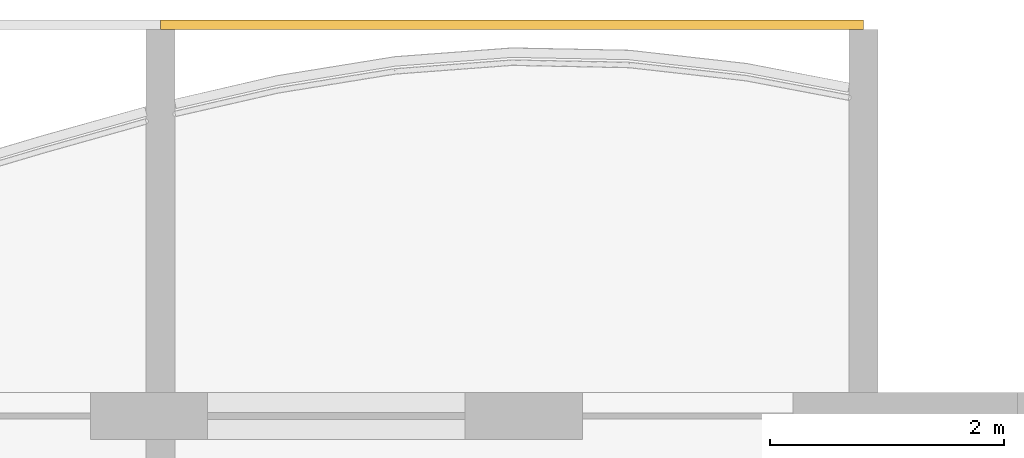
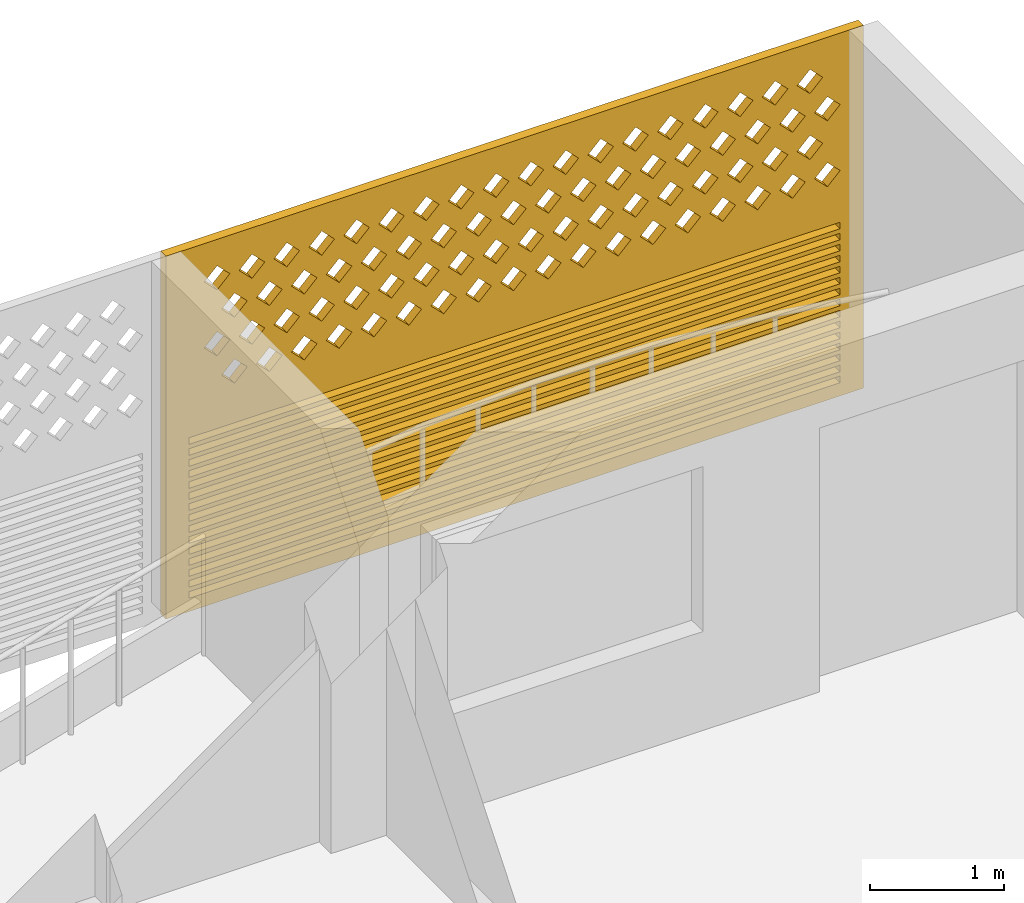
# One storey, part 26 of 26: 1 covering.
"""IFC4 building model written with IfcOpenShell, lengths in metres."""

from ifc_helpers import new_model, si_unit, direction, frame, origin, place, context, subcontext, project, spatial, polyline, outline, extrude, source, transform, mapped, material, material_profile, profile_set, type_object, element, save


model = new_model("IFC4")

# Units and contexts
model_context = context("Model", 3, precision=1e-05, world=origin(), true_north=direction((0.0, 1.0)))
body_context = subcontext(model_context, "Body", "Model", "MODEL_VIEW")
ifc_project = project(units=[si_unit("LENGTHUNIT", "METRE"), si_unit("AREAUNIT", "SQUARE_METRE"), si_unit("VOLUMEUNIT", "CUBIC_METRE"), si_unit("PLANEANGLEUNIT", "RADIAN"), si_unit("MASSUNIT", "GRAM", prefix="KILO")], contexts=[model_context])

# Site, building, storey
site_placement = place(None, origin())
site = spatial("IfcSite", under=ifc_project, at=site_placement, CompositionType="ELEMENT")
building_placement = place(site_placement, origin())
building = spatial("IfcBuilding", under=site, at=building_placement, Name="Poui Terraces", CompositionType="ELEMENT")
storey_placement = place(building_placement, frame((0.0, 0.0, 228.0)))
storey = spatial("IfcBuildingStorey", under=building, at=storey_placement, Name="L63", CompositionType="ELEMENT", Elevation=228.0)

# Covering
ifc_material = material(Name="Terracotta screen", Category="masonry")
ifc_material_profile = material_profile(ifc_material, outline(polyline([(-3.0, -1.64990234375), (3.0, -1.64990234375), (3.0, 1.64990234375), (-3.0, 1.64990234375), (-3.0, -1.64990234375)]), holes=[polyline([(-2.800048828125, 0.39990234375), (-2.68994140625, 0.2900390625), (-2.580078125, 0.39990234375), (-2.68994140625, 0.510009765625), (-2.800048828125, 0.39990234375)]), polyline([(-2.5, 0.39990234375), (-2.389892578125, 0.2900390625), (-2.280029296875, 0.39990234375), (-2.389892578125, 0.510009765625), (-2.5, 0.39990234375)]), polyline([(-2.199951171875, 0.39990234375), (-2.090087890625, 0.2900390625), (-1.97998046875, 0.39990234375), (-2.090087890625, 0.510009765625), (-2.199951171875, 0.39990234375)]), polyline([(-1.89990234375, 0.39990234375), (-1.7900390625, 0.2900390625), (-1.679931640625, 0.39990234375), (-1.7900390625, 0.510009765625), (-1.89990234375, 0.39990234375)]), polyline([(-1.60009765625, 0.39990234375), (-1.489990234375, 0.2900390625), (-1.3798828125, 0.39990234375), (-1.489990234375, 0.510009765625), (-1.60009765625, 0.39990234375)]), polyline([(-1.300048828125, 0.39990234375), (-1.18994140625, 0.2900390625), (-1.080078125, 0.39990234375), (-1.18994140625, 0.510009765625), (-1.300048828125, 0.39990234375)]), polyline([(-1.0, 0.39990234375), (-0.889892578125, 0.2900390625), (-0.780029296875, 0.39990234375), (-0.889892578125, 0.510009765625), (-1.0, 0.39990234375)]), polyline([(-0.699951171875, 0.39990234375), (-0.590087890625, 0.2900390625), (-0.47998046875, 0.39990234375), (-0.590087890625, 0.510009765625), (-0.699951171875, 0.39990234375)]), polyline([(-0.39990234375, 0.39990234375), (-0.2900390625, 0.2900390625), (-0.179931640625, 0.39990234375), (-0.2900390625, 0.510009765625), (-0.39990234375, 0.39990234375)]), polyline([(-0.10009765625, 0.39990234375), (0.010009765625, 0.2900390625), (0.1201171875, 0.39990234375), (0.010009765625, 0.510009765625), (-0.10009765625, 0.39990234375)]), polyline([(0.199951171875, 0.39990234375), (0.31005859375, 0.2900390625), (0.419921875, 0.39990234375), (0.31005859375, 0.510009765625), (0.199951171875, 0.39990234375)]), polyline([(0.5, 0.39990234375), (0.610107421875, 0.2900390625), (0.719970703125, 0.39990234375), (0.610107421875, 0.510009765625), (0.5, 0.39990234375)]), polyline([(0.800048828125, 0.39990234375), (0.909912109375, 0.2900390625), (1.02001953125, 0.39990234375), (0.909912109375, 0.510009765625), (0.800048828125, 0.39990234375)]), polyline([(1.10009765625, 0.39990234375), (1.2099609375, 0.2900390625), (1.320068359375, 0.39990234375), (1.2099609375, 0.510009765625), (1.10009765625, 0.39990234375)]), polyline([(1.39990234375, 0.39990234375), (1.510009765625, 0.2900390625), (1.6201171875, 0.39990234375), (1.510009765625, 0.510009765625), (1.39990234375, 0.39990234375)]), polyline([(1.699951171875, 0.39990234375), (1.81005859375, 0.2900390625), (1.919921875, 0.39990234375), (1.81005859375, 0.510009765625), (1.699951171875, 0.39990234375)]), polyline([(2.0, 0.39990234375), (2.110107421875, 0.2900390625), (2.219970703125, 0.39990234375), (2.110107421875, 0.510009765625), (2.0, 0.39990234375)]), polyline([(2.300048828125, 0.39990234375), (2.409912109375, 0.2900390625), (2.52001953125, 0.39990234375), (2.409912109375, 0.510009765625), (2.300048828125, 0.39990234375)]), polyline([(-2.64990234375, 0.699951171875), (-2.5400390625, 0.590087890625), (-2.429931640625, 0.699951171875), (-2.5400390625, 0.81005859375), (-2.64990234375, 0.699951171875)]), polyline([(-2.35009765625, 0.699951171875), (-2.239990234375, 0.590087890625), (-2.1298828125, 0.699951171875), (-2.239990234375, 0.81005859375), (-2.35009765625, 0.699951171875)]), polyline([(-2.050048828125, 0.699951171875), (-1.93994140625, 0.590087890625), (-1.830078125, 0.699951171875), (-1.93994140625, 0.81005859375), (-2.050048828125, 0.699951171875)]), polyline([(-1.75, 0.699951171875), (-1.639892578125, 0.590087890625), (-1.530029296875, 0.699951171875), (-1.639892578125, 0.81005859375), (-1.75, 0.699951171875)]), polyline([(-1.449951171875, 0.699951171875), (-1.340087890625, 0.590087890625), (-1.22998046875, 0.699951171875), (-1.340087890625, 0.81005859375), (-1.449951171875, 0.699951171875)]), polyline([(-1.14990234375, 0.699951171875), (-1.0400390625, 0.590087890625), (-0.929931640625, 0.699951171875), (-1.0400390625, 0.81005859375), (-1.14990234375, 0.699951171875)]), polyline([(-0.85009765625, 0.699951171875), (-0.739990234375, 0.590087890625), (-0.6298828125, 0.699951171875), (-0.739990234375, 0.81005859375), (-0.85009765625, 0.699951171875)]), polyline([(-0.550048828125, 0.699951171875), (-0.43994140625, 0.590087890625), (-0.330078125, 0.699951171875), (-0.43994140625, 0.81005859375), (-0.550048828125, 0.699951171875)]), polyline([(-0.25, 0.699951171875), (-0.139892578125, 0.590087890625), (-0.030029296875, 0.699951171875), (-0.139892578125, 0.81005859375), (-0.25, 0.699951171875)]), polyline([(0.050048828125, 0.699951171875), (0.159912109375, 0.590087890625), (0.27001953125, 0.699951171875), (0.159912109375, 0.81005859375), (0.050048828125, 0.699951171875)]), polyline([(0.35009765625, 0.699951171875), (0.4599609375, 0.590087890625), (0.570068359375, 0.699951171875), (0.4599609375, 0.81005859375), (0.35009765625, 0.699951171875)]), polyline([(0.64990234375, 0.699951171875), (0.760009765625, 0.590087890625), (0.8701171875, 0.699951171875), (0.760009765625, 0.81005859375), (0.64990234375, 0.699951171875)]), polyline([(0.949951171875, 0.699951171875), (1.06005859375, 0.590087890625), (1.169921875, 0.699951171875), (1.06005859375, 0.81005859375), (0.949951171875, 0.699951171875)]), polyline([(1.25, 0.699951171875), (1.360107421875, 0.590087890625), (1.469970703125, 0.699951171875), (1.360107421875, 0.81005859375), (1.25, 0.699951171875)]), polyline([(1.550048828125, 0.699951171875), (1.659912109375, 0.590087890625), (1.77001953125, 0.699951171875), (1.659912109375, 0.81005859375), (1.550048828125, 0.699951171875)]), polyline([(1.85009765625, 0.699951171875), (1.9599609375, 0.590087890625), (2.070068359375, 0.699951171875), (1.9599609375, 0.81005859375), (1.85009765625, 0.699951171875)]), polyline([(2.14990234375, 0.699951171875), (2.260009765625, 0.590087890625), (2.3701171875, 0.699951171875), (2.260009765625, 0.81005859375), (2.14990234375, 0.699951171875)]), polyline([(2.449951171875, 0.699951171875), (2.56005859375, 0.590087890625), (2.669921875, 0.699951171875), (2.56005859375, 0.81005859375), (2.449951171875, 0.699951171875)]), polyline([(-2.800048828125, 1.0), (-2.68994140625, 0.889892578125), (-2.580078125, 1.0), (-2.68994140625, 1.110107421875), (-2.800048828125, 1.0)]), polyline([(-2.5, 1.0), (-2.389892578125, 0.889892578125), (-2.280029296875, 1.0), (-2.389892578125, 1.110107421875), (-2.5, 1.0)]), polyline([(-2.199951171875, 1.0), (-2.090087890625, 0.889892578125), (-1.97998046875, 1.0), (-2.090087890625, 1.110107421875), (-2.199951171875, 1.0)]), polyline([(-1.89990234375, 1.0), (-1.7900390625, 0.889892578125), (-1.679931640625, 1.0), (-1.7900390625, 1.110107421875), (-1.89990234375, 1.0)]), polyline([(-1.60009765625, 1.0), (-1.489990234375, 0.889892578125), (-1.3798828125, 1.0), (-1.489990234375, 1.110107421875), (-1.60009765625, 1.0)]), polyline([(-1.300048828125, 1.0), (-1.18994140625, 0.889892578125), (-1.080078125, 1.0), (-1.18994140625, 1.110107421875), (-1.300048828125, 1.0)]), polyline([(-1.0, 1.0), (-0.889892578125, 0.889892578125), (-0.780029296875, 1.0), (-0.889892578125, 1.110107421875), (-1.0, 1.0)]), polyline([(-0.699951171875, 1.0), (-0.590087890625, 0.889892578125), (-0.47998046875, 1.0), (-0.590087890625, 1.110107421875), (-0.699951171875, 1.0)]), polyline([(-0.39990234375, 1.0), (-0.2900390625, 0.889892578125), (-0.179931640625, 1.0), (-0.2900390625, 1.110107421875), (-0.39990234375, 1.0)]), polyline([(-0.10009765625, 1.0), (0.010009765625, 0.889892578125), (0.1201171875, 1.0), (0.010009765625, 1.110107421875), (-0.10009765625, 1.0)]), polyline([(0.199951171875, 1.0), (0.31005859375, 0.889892578125), (0.419921875, 1.0), (0.31005859375, 1.110107421875), (0.199951171875, 1.0)]), polyline([(0.5, 1.0), (0.610107421875, 0.889892578125), (0.719970703125, 1.0), (0.610107421875, 1.110107421875), (0.5, 1.0)]), polyline([(0.800048828125, 1.0), (0.909912109375, 0.889892578125), (1.02001953125, 1.0), (0.909912109375, 1.110107421875), (0.800048828125, 1.0)]), polyline([(1.10009765625, 1.0), (1.2099609375, 0.889892578125), (1.320068359375, 1.0), (1.2099609375, 1.110107421875), (1.10009765625, 1.0)]), polyline([(1.39990234375, 1.0), (1.510009765625, 0.889892578125), (1.6201171875, 1.0), (1.510009765625, 1.110107421875), (1.39990234375, 1.0)]), polyline([(1.699951171875, 1.0), (1.81005859375, 0.889892578125), (1.919921875, 1.0), (1.81005859375, 1.110107421875), (1.699951171875, 1.0)]), polyline([(2.0, 1.0), (2.110107421875, 0.889892578125), (2.219970703125, 1.0), (2.110107421875, 1.110107421875), (2.0, 1.0)]), polyline([(2.300048828125, 1.0), (2.409912109375, 0.889892578125), (2.52001953125, 1.0), (2.409912109375, 1.110107421875), (2.300048828125, 1.0)]), polyline([(-2.64990234375, 1.300048828125), (-2.5400390625, 1.18994140625), (-2.429931640625, 1.300048828125), (-2.5400390625, 1.409912109375), (-2.64990234375, 1.300048828125)]), polyline([(-2.35009765625, 1.300048828125), (-2.239990234375, 1.18994140625), (-2.1298828125, 1.300048828125), (-2.239990234375, 1.409912109375), (-2.35009765625, 1.300048828125)]), polyline([(-2.050048828125, 1.300048828125), (-1.93994140625, 1.18994140625), (-1.830078125, 1.300048828125), (-1.93994140625, 1.409912109375), (-2.050048828125, 1.300048828125)]), polyline([(-1.75, 1.300048828125), (-1.639892578125, 1.18994140625), (-1.530029296875, 1.300048828125), (-1.639892578125, 1.409912109375), (-1.75, 1.300048828125)]), polyline([(-1.449951171875, 1.300048828125), (-1.340087890625, 1.18994140625), (-1.22998046875, 1.300048828125), (-1.340087890625, 1.409912109375), (-1.449951171875, 1.300048828125)]), polyline([(-1.14990234375, 1.300048828125), (-1.0400390625, 1.18994140625), (-0.929931640625, 1.300048828125), (-1.0400390625, 1.409912109375), (-1.14990234375, 1.300048828125)]), polyline([(-0.85009765625, 1.300048828125), (-0.739990234375, 1.18994140625), (-0.6298828125, 1.300048828125), (-0.739990234375, 1.409912109375), (-0.85009765625, 1.300048828125)]), polyline([(-0.550048828125, 1.300048828125), (-0.43994140625, 1.18994140625), (-0.330078125, 1.300048828125), (-0.43994140625, 1.409912109375), (-0.550048828125, 1.300048828125)]), polyline([(-0.25, 1.300048828125), (-0.139892578125, 1.18994140625), (-0.030029296875, 1.300048828125), (-0.139892578125, 1.409912109375), (-0.25, 1.300048828125)]), polyline([(0.050048828125, 1.300048828125), (0.159912109375, 1.18994140625), (0.27001953125, 1.300048828125), (0.159912109375, 1.409912109375), (0.050048828125, 1.300048828125)]), polyline([(0.35009765625, 1.300048828125), (0.4599609375, 1.18994140625), (0.570068359375, 1.300048828125), (0.4599609375, 1.409912109375), (0.35009765625, 1.300048828125)]), polyline([(0.64990234375, 1.300048828125), (0.760009765625, 1.18994140625), (0.8701171875, 1.300048828125), (0.760009765625, 1.409912109375), (0.64990234375, 1.300048828125)]), polyline([(0.949951171875, 1.300048828125), (1.06005859375, 1.18994140625), (1.169921875, 1.300048828125), (1.06005859375, 1.409912109375), (0.949951171875, 1.300048828125)]), polyline([(1.25, 1.300048828125), (1.360107421875, 1.18994140625), (1.469970703125, 1.300048828125), (1.360107421875, 1.409912109375), (1.25, 1.300048828125)]), polyline([(1.550048828125, 1.300048828125), (1.659912109375, 1.18994140625), (1.77001953125, 1.300048828125), (1.659912109375, 1.409912109375), (1.550048828125, 1.300048828125)]), polyline([(1.85009765625, 1.300048828125), (1.9599609375, 1.18994140625), (2.070068359375, 1.300048828125), (1.9599609375, 1.409912109375), (1.85009765625, 1.300048828125)]), polyline([(2.14990234375, 1.300048828125), (2.260009765625, 1.18994140625), (2.3701171875, 1.300048828125), (2.260009765625, 1.409912109375), (2.14990234375, 1.300048828125)]), polyline([(2.449951171875, 1.300048828125), (2.56005859375, 1.18994140625), (2.669921875, 1.300048828125), (2.56005859375, 1.409912109375), (2.449951171875, 1.300048828125)]), polyline([(-2.800048828125, -1.530029296875), (2.800048828125, -1.530029296875), (2.800048828125, -1.469970703125), (-2.800048828125, -1.469970703125), (-2.800048828125, -1.530029296875)]), polyline([(-2.800048828125, -1.429931640625), (2.800048828125, -1.429931640625), (2.800048828125, -1.3701171875), (-2.800048828125, -1.3701171875), (-2.800048828125, -1.429931640625)]), polyline([(-2.800048828125, -1.330078125), (2.800048828125, -1.330078125), (2.800048828125, -1.27001953125), (-2.800048828125, -1.27001953125), (-2.800048828125, -1.330078125)]), polyline([(-2.800048828125, -1.22998046875), (2.800048828125, -1.22998046875), (2.800048828125, -1.169921875), (-2.800048828125, -1.169921875), (-2.800048828125, -1.22998046875)]), polyline([(-2.800048828125, -1.1298828125), (2.800048828125, -1.1298828125), (2.800048828125, -1.070068359375), (-2.800048828125, -1.070068359375), (-2.800048828125, -1.1298828125)]), polyline([(-2.800048828125, -1.030029296875), (2.800048828125, -1.030029296875), (2.800048828125, -0.969970703125), (-2.800048828125, -0.969970703125), (-2.800048828125, -1.030029296875)]), polyline([(-2.800048828125, -0.929931640625), (2.800048828125, -0.929931640625), (2.800048828125, -0.8701171875), (-2.800048828125, -0.8701171875), (-2.800048828125, -0.929931640625)]), polyline([(-2.800048828125, -0.830078125), (2.800048828125, -0.830078125), (2.800048828125, -0.77001953125), (-2.800048828125, -0.77001953125), (-2.800048828125, -0.830078125)]), polyline([(-2.800048828125, -0.72998046875), (2.800048828125, -0.72998046875), (2.800048828125, -0.669921875), (-2.800048828125, -0.669921875), (-2.800048828125, -0.72998046875)]), polyline([(-2.800048828125, -0.6298828125), (2.800048828125, -0.6298828125), (2.800048828125, -0.570068359375), (-2.800048828125, -0.570068359375), (-2.800048828125, -0.6298828125)]), polyline([(-2.800048828125, -0.530029296875), (2.800048828125, -0.530029296875), (2.800048828125, -0.469970703125), (-2.800048828125, -0.469970703125), (-2.800048828125, -0.530029296875)]), polyline([(-2.800048828125, -0.429931640625), (2.800048828125, -0.429931640625), (2.800048828125, -0.3701171875), (-2.800048828125, -0.3701171875), (-2.800048828125, -0.429931640625)]), polyline([(-2.800048828125, -0.330078125), (2.800048828125, -0.330078125), (2.800048828125, -0.27001953125), (-2.800048828125, -0.27001953125), (-2.800048828125, -0.330078125)]), polyline([(-2.800048828125, -0.22998046875), (2.800048828125, -0.22998046875), (2.800048828125, -0.169921875), (-2.800048828125, -0.169921875), (-2.800048828125, -0.22998046875)]), polyline([(-2.800048828125, -0.1298828125), (2.800048828125, -0.1298828125), (2.800048828125, -0.070068359375), (-2.800048828125, -0.070068359375), (-2.800048828125, -0.1298828125)])]), Name="TERRACOTTA SCREEN AND JALOUSIE LOUVRE 6000X3300")
ifc_profile_set = profile_set([ifc_material_profile], Name="Terracotta screen")
covering_type = type_object("IfcCoveringType", Name="TERRACOTTA SCREEN AND JALOUSIE LOUVRE 6000X3300", PredefinedType="CLADDING", material=ifc_profile_set)
shared_shape = source(origin(), body_context, "Body", "SweptSolid", [
    extrude(outline(polyline([(-3.0, -1.64990234375), (3.0, -1.64990234375), (3.0, 1.64990234375), (-3.0, 1.64990234375), (-3.0, -1.64990234375)]), holes=[polyline([(-2.800048828125, 0.39990234375), (-2.68994140625, 0.2900390625), (-2.580078125, 0.39990234375), (-2.68994140625, 0.510009765625), (-2.800048828125, 0.39990234375)]), polyline([(-2.5, 0.39990234375), (-2.389892578125, 0.2900390625), (-2.280029296875, 0.39990234375), (-2.389892578125, 0.510009765625), (-2.5, 0.39990234375)]), polyline([(-2.199951171875, 0.39990234375), (-2.090087890625, 0.2900390625), (-1.97998046875, 0.39990234375), (-2.090087890625, 0.510009765625), (-2.199951171875, 0.39990234375)]), polyline([(-1.89990234375, 0.39990234375), (-1.7900390625, 0.2900390625), (-1.679931640625, 0.39990234375), (-1.7900390625, 0.510009765625), (-1.89990234375, 0.39990234375)]), polyline([(-1.60009765625, 0.39990234375), (-1.489990234375, 0.2900390625), (-1.3798828125, 0.39990234375), (-1.489990234375, 0.510009765625), (-1.60009765625, 0.39990234375)]), polyline([(-1.300048828125, 0.39990234375), (-1.18994140625, 0.2900390625), (-1.080078125, 0.39990234375), (-1.18994140625, 0.510009765625), (-1.300048828125, 0.39990234375)]), polyline([(-1.0, 0.39990234375), (-0.889892578125, 0.2900390625), (-0.780029296875, 0.39990234375), (-0.889892578125, 0.510009765625), (-1.0, 0.39990234375)]), polyline([(-0.699951171875, 0.39990234375), (-0.590087890625, 0.2900390625), (-0.47998046875, 0.39990234375), (-0.590087890625, 0.510009765625), (-0.699951171875, 0.39990234375)]), polyline([(-0.39990234375, 0.39990234375), (-0.2900390625, 0.2900390625), (-0.179931640625, 0.39990234375), (-0.2900390625, 0.510009765625), (-0.39990234375, 0.39990234375)]), polyline([(-0.10009765625, 0.39990234375), (0.010009765625, 0.2900390625), (0.1201171875, 0.39990234375), (0.010009765625, 0.510009765625), (-0.10009765625, 0.39990234375)]), polyline([(0.199951171875, 0.39990234375), (0.31005859375, 0.2900390625), (0.419921875, 0.39990234375), (0.31005859375, 0.510009765625), (0.199951171875, 0.39990234375)]), polyline([(0.5, 0.39990234375), (0.610107421875, 0.2900390625), (0.719970703125, 0.39990234375), (0.610107421875, 0.510009765625), (0.5, 0.39990234375)]), polyline([(0.800048828125, 0.39990234375), (0.909912109375, 0.2900390625), (1.02001953125, 0.39990234375), (0.909912109375, 0.510009765625), (0.800048828125, 0.39990234375)]), polyline([(1.10009765625, 0.39990234375), (1.2099609375, 0.2900390625), (1.320068359375, 0.39990234375), (1.2099609375, 0.510009765625), (1.10009765625, 0.39990234375)]), polyline([(1.39990234375, 0.39990234375), (1.510009765625, 0.2900390625), (1.6201171875, 0.39990234375), (1.510009765625, 0.510009765625), (1.39990234375, 0.39990234375)]), polyline([(1.699951171875, 0.39990234375), (1.81005859375, 0.2900390625), (1.919921875, 0.39990234375), (1.81005859375, 0.510009765625), (1.699951171875, 0.39990234375)]), polyline([(2.0, 0.39990234375), (2.110107421875, 0.2900390625), (2.219970703125, 0.39990234375), (2.110107421875, 0.510009765625), (2.0, 0.39990234375)]), polyline([(2.300048828125, 0.39990234375), (2.409912109375, 0.2900390625), (2.52001953125, 0.39990234375), (2.409912109375, 0.510009765625), (2.300048828125, 0.39990234375)]), polyline([(-2.64990234375, 0.699951171875), (-2.5400390625, 0.590087890625), (-2.429931640625, 0.699951171875), (-2.5400390625, 0.81005859375), (-2.64990234375, 0.699951171875)]), polyline([(-2.35009765625, 0.699951171875), (-2.239990234375, 0.590087890625), (-2.1298828125, 0.699951171875), (-2.239990234375, 0.81005859375), (-2.35009765625, 0.699951171875)]), polyline([(-2.050048828125, 0.699951171875), (-1.93994140625, 0.590087890625), (-1.830078125, 0.699951171875), (-1.93994140625, 0.81005859375), (-2.050048828125, 0.699951171875)]), polyline([(-1.75, 0.699951171875), (-1.639892578125, 0.590087890625), (-1.530029296875, 0.699951171875), (-1.639892578125, 0.81005859375), (-1.75, 0.699951171875)]), polyline([(-1.449951171875, 0.699951171875), (-1.340087890625, 0.590087890625), (-1.22998046875, 0.699951171875), (-1.340087890625, 0.81005859375), (-1.449951171875, 0.699951171875)]), polyline([(-1.14990234375, 0.699951171875), (-1.0400390625, 0.590087890625), (-0.929931640625, 0.699951171875), (-1.0400390625, 0.81005859375), (-1.14990234375, 0.699951171875)]), polyline([(-0.85009765625, 0.699951171875), (-0.739990234375, 0.590087890625), (-0.6298828125, 0.699951171875), (-0.739990234375, 0.81005859375), (-0.85009765625, 0.699951171875)]), polyline([(-0.550048828125, 0.699951171875), (-0.43994140625, 0.590087890625), (-0.330078125, 0.699951171875), (-0.43994140625, 0.81005859375), (-0.550048828125, 0.699951171875)]), polyline([(-0.25, 0.699951171875), (-0.139892578125, 0.590087890625), (-0.030029296875, 0.699951171875), (-0.139892578125, 0.81005859375), (-0.25, 0.699951171875)]), polyline([(0.050048828125, 0.699951171875), (0.159912109375, 0.590087890625), (0.27001953125, 0.699951171875), (0.159912109375, 0.81005859375), (0.050048828125, 0.699951171875)]), polyline([(0.35009765625, 0.699951171875), (0.4599609375, 0.590087890625), (0.570068359375, 0.699951171875), (0.4599609375, 0.81005859375), (0.35009765625, 0.699951171875)]), polyline([(0.64990234375, 0.699951171875), (0.760009765625, 0.590087890625), (0.8701171875, 0.699951171875), (0.760009765625, 0.81005859375), (0.64990234375, 0.699951171875)]), polyline([(0.949951171875, 0.699951171875), (1.06005859375, 0.590087890625), (1.169921875, 0.699951171875), (1.06005859375, 0.81005859375), (0.949951171875, 0.699951171875)]), polyline([(1.25, 0.699951171875), (1.360107421875, 0.590087890625), (1.469970703125, 0.699951171875), (1.360107421875, 0.81005859375), (1.25, 0.699951171875)]), polyline([(1.550048828125, 0.699951171875), (1.659912109375, 0.590087890625), (1.77001953125, 0.699951171875), (1.659912109375, 0.81005859375), (1.550048828125, 0.699951171875)]), polyline([(1.85009765625, 0.699951171875), (1.9599609375, 0.590087890625), (2.070068359375, 0.699951171875), (1.9599609375, 0.81005859375), (1.85009765625, 0.699951171875)]), polyline([(2.14990234375, 0.699951171875), (2.260009765625, 0.590087890625), (2.3701171875, 0.699951171875), (2.260009765625, 0.81005859375), (2.14990234375, 0.699951171875)]), polyline([(2.449951171875, 0.699951171875), (2.56005859375, 0.590087890625), (2.669921875, 0.699951171875), (2.56005859375, 0.81005859375), (2.449951171875, 0.699951171875)]), polyline([(-2.800048828125, 1.0), (-2.68994140625, 0.889892578125), (-2.580078125, 1.0), (-2.68994140625, 1.110107421875), (-2.800048828125, 1.0)]), polyline([(-2.5, 1.0), (-2.389892578125, 0.889892578125), (-2.280029296875, 1.0), (-2.389892578125, 1.110107421875), (-2.5, 1.0)]), polyline([(-2.199951171875, 1.0), (-2.090087890625, 0.889892578125), (-1.97998046875, 1.0), (-2.090087890625, 1.110107421875), (-2.199951171875, 1.0)]), polyline([(-1.89990234375, 1.0), (-1.7900390625, 0.889892578125), (-1.679931640625, 1.0), (-1.7900390625, 1.110107421875), (-1.89990234375, 1.0)]), polyline([(-1.60009765625, 1.0), (-1.489990234375, 0.889892578125), (-1.3798828125, 1.0), (-1.489990234375, 1.110107421875), (-1.60009765625, 1.0)]), polyline([(-1.300048828125, 1.0), (-1.18994140625, 0.889892578125), (-1.080078125, 1.0), (-1.18994140625, 1.110107421875), (-1.300048828125, 1.0)]), polyline([(-1.0, 1.0), (-0.889892578125, 0.889892578125), (-0.780029296875, 1.0), (-0.889892578125, 1.110107421875), (-1.0, 1.0)]), polyline([(-0.699951171875, 1.0), (-0.590087890625, 0.889892578125), (-0.47998046875, 1.0), (-0.590087890625, 1.110107421875), (-0.699951171875, 1.0)]), polyline([(-0.39990234375, 1.0), (-0.2900390625, 0.889892578125), (-0.179931640625, 1.0), (-0.2900390625, 1.110107421875), (-0.39990234375, 1.0)]), polyline([(-0.10009765625, 1.0), (0.010009765625, 0.889892578125), (0.1201171875, 1.0), (0.010009765625, 1.110107421875), (-0.10009765625, 1.0)]), polyline([(0.199951171875, 1.0), (0.31005859375, 0.889892578125), (0.419921875, 1.0), (0.31005859375, 1.110107421875), (0.199951171875, 1.0)]), polyline([(0.5, 1.0), (0.610107421875, 0.889892578125), (0.719970703125, 1.0), (0.610107421875, 1.110107421875), (0.5, 1.0)]), polyline([(0.800048828125, 1.0), (0.909912109375, 0.889892578125), (1.02001953125, 1.0), (0.909912109375, 1.110107421875), (0.800048828125, 1.0)]), polyline([(1.10009765625, 1.0), (1.2099609375, 0.889892578125), (1.320068359375, 1.0), (1.2099609375, 1.110107421875), (1.10009765625, 1.0)]), polyline([(1.39990234375, 1.0), (1.510009765625, 0.889892578125), (1.6201171875, 1.0), (1.510009765625, 1.110107421875), (1.39990234375, 1.0)]), polyline([(1.699951171875, 1.0), (1.81005859375, 0.889892578125), (1.919921875, 1.0), (1.81005859375, 1.110107421875), (1.699951171875, 1.0)]), polyline([(2.0, 1.0), (2.110107421875, 0.889892578125), (2.219970703125, 1.0), (2.110107421875, 1.110107421875), (2.0, 1.0)]), polyline([(2.300048828125, 1.0), (2.409912109375, 0.889892578125), (2.52001953125, 1.0), (2.409912109375, 1.110107421875), (2.300048828125, 1.0)]), polyline([(-2.64990234375, 1.300048828125), (-2.5400390625, 1.18994140625), (-2.429931640625, 1.300048828125), (-2.5400390625, 1.409912109375), (-2.64990234375, 1.300048828125)]), polyline([(-2.35009765625, 1.300048828125), (-2.239990234375, 1.18994140625), (-2.1298828125, 1.300048828125), (-2.239990234375, 1.409912109375), (-2.35009765625, 1.300048828125)]), polyline([(-2.050048828125, 1.300048828125), (-1.93994140625, 1.18994140625), (-1.830078125, 1.300048828125), (-1.93994140625, 1.409912109375), (-2.050048828125, 1.300048828125)]), polyline([(-1.75, 1.300048828125), (-1.639892578125, 1.18994140625), (-1.530029296875, 1.300048828125), (-1.639892578125, 1.409912109375), (-1.75, 1.300048828125)]), polyline([(-1.449951171875, 1.300048828125), (-1.340087890625, 1.18994140625), (-1.22998046875, 1.300048828125), (-1.340087890625, 1.409912109375), (-1.449951171875, 1.300048828125)]), polyline([(-1.14990234375, 1.300048828125), (-1.0400390625, 1.18994140625), (-0.929931640625, 1.300048828125), (-1.0400390625, 1.409912109375), (-1.14990234375, 1.300048828125)]), polyline([(-0.85009765625, 1.300048828125), (-0.739990234375, 1.18994140625), (-0.6298828125, 1.300048828125), (-0.739990234375, 1.409912109375), (-0.85009765625, 1.300048828125)]), polyline([(-0.550048828125, 1.300048828125), (-0.43994140625, 1.18994140625), (-0.330078125, 1.300048828125), (-0.43994140625, 1.409912109375), (-0.550048828125, 1.300048828125)]), polyline([(-0.25, 1.300048828125), (-0.139892578125, 1.18994140625), (-0.030029296875, 1.300048828125), (-0.139892578125, 1.409912109375), (-0.25, 1.300048828125)]), polyline([(0.050048828125, 1.300048828125), (0.159912109375, 1.18994140625), (0.27001953125, 1.300048828125), (0.159912109375, 1.409912109375), (0.050048828125, 1.300048828125)]), polyline([(0.35009765625, 1.300048828125), (0.4599609375, 1.18994140625), (0.570068359375, 1.300048828125), (0.4599609375, 1.409912109375), (0.35009765625, 1.300048828125)]), polyline([(0.64990234375, 1.300048828125), (0.760009765625, 1.18994140625), (0.8701171875, 1.300048828125), (0.760009765625, 1.409912109375), (0.64990234375, 1.300048828125)]), polyline([(0.949951171875, 1.300048828125), (1.06005859375, 1.18994140625), (1.169921875, 1.300048828125), (1.06005859375, 1.409912109375), (0.949951171875, 1.300048828125)]), polyline([(1.25, 1.300048828125), (1.360107421875, 1.18994140625), (1.469970703125, 1.300048828125), (1.360107421875, 1.409912109375), (1.25, 1.300048828125)]), polyline([(1.550048828125, 1.300048828125), (1.659912109375, 1.18994140625), (1.77001953125, 1.300048828125), (1.659912109375, 1.409912109375), (1.550048828125, 1.300048828125)]), polyline([(1.85009765625, 1.300048828125), (1.9599609375, 1.18994140625), (2.070068359375, 1.300048828125), (1.9599609375, 1.409912109375), (1.85009765625, 1.300048828125)]), polyline([(2.14990234375, 1.300048828125), (2.260009765625, 1.18994140625), (2.3701171875, 1.300048828125), (2.260009765625, 1.409912109375), (2.14990234375, 1.300048828125)]), polyline([(2.449951171875, 1.300048828125), (2.56005859375, 1.18994140625), (2.669921875, 1.300048828125), (2.56005859375, 1.409912109375), (2.449951171875, 1.300048828125)]), polyline([(-2.800048828125, -1.530029296875), (2.800048828125, -1.530029296875), (2.800048828125, -1.469970703125), (-2.800048828125, -1.469970703125), (-2.800048828125, -1.530029296875)]), polyline([(-2.800048828125, -1.429931640625), (2.800048828125, -1.429931640625), (2.800048828125, -1.3701171875), (-2.800048828125, -1.3701171875), (-2.800048828125, -1.429931640625)]), polyline([(-2.800048828125, -1.330078125), (2.800048828125, -1.330078125), (2.800048828125, -1.27001953125), (-2.800048828125, -1.27001953125), (-2.800048828125, -1.330078125)]), polyline([(-2.800048828125, -1.22998046875), (2.800048828125, -1.22998046875), (2.800048828125, -1.169921875), (-2.800048828125, -1.169921875), (-2.800048828125, -1.22998046875)]), polyline([(-2.800048828125, -1.1298828125), (2.800048828125, -1.1298828125), (2.800048828125, -1.070068359375), (-2.800048828125, -1.070068359375), (-2.800048828125, -1.1298828125)]), polyline([(-2.800048828125, -1.030029296875), (2.800048828125, -1.030029296875), (2.800048828125, -0.969970703125), (-2.800048828125, -0.969970703125), (-2.800048828125, -1.030029296875)]), polyline([(-2.800048828125, -0.929931640625), (2.800048828125, -0.929931640625), (2.800048828125, -0.8701171875), (-2.800048828125, -0.8701171875), (-2.800048828125, -0.929931640625)]), polyline([(-2.800048828125, -0.830078125), (2.800048828125, -0.830078125), (2.800048828125, -0.77001953125), (-2.800048828125, -0.77001953125), (-2.800048828125, -0.830078125)]), polyline([(-2.800048828125, -0.72998046875), (2.800048828125, -0.72998046875), (2.800048828125, -0.669921875), (-2.800048828125, -0.669921875), (-2.800048828125, -0.72998046875)]), polyline([(-2.800048828125, -0.6298828125), (2.800048828125, -0.6298828125), (2.800048828125, -0.570068359375), (-2.800048828125, -0.570068359375), (-2.800048828125, -0.6298828125)]), polyline([(-2.800048828125, -0.530029296875), (2.800048828125, -0.530029296875), (2.800048828125, -0.469970703125), (-2.800048828125, -0.469970703125), (-2.800048828125, -0.530029296875)]), polyline([(-2.800048828125, -0.429931640625), (2.800048828125, -0.429931640625), (2.800048828125, -0.3701171875), (-2.800048828125, -0.3701171875), (-2.800048828125, -0.429931640625)]), polyline([(-2.800048828125, -0.330078125), (2.800048828125, -0.330078125), (2.800048828125, -0.27001953125), (-2.800048828125, -0.27001953125), (-2.800048828125, -0.330078125)]), polyline([(-2.800048828125, -0.22998046875), (2.800048828125, -0.22998046875), (2.800048828125, -0.169921875), (-2.800048828125, -0.169921875), (-2.800048828125, -0.22998046875)]), polyline([(-2.800048828125, -0.1298828125), (2.800048828125, -0.1298828125), (2.800048828125, -0.070068359375), (-2.800048828125, -0.070068359375), (-2.800048828125, -0.1298828125)])]), origin(), (0.0, 0.0, 1.0), 0.080078125),
])
covering_placement = place(storey_placement, frame((75.0, 44.5, 1.449951171875), z_axis=(0.0, 1.0, 0.0), x_axis=(-1.0, 0.0, 0.0)))
element("IfcCovering", 1, at=covering_placement, inside=storey, type_object=covering_type, Name="SOLAR SCREEN AND JALOUSIE LOUVRE", PredefinedType="CLADDING", context=body_context, shape_type="MappedRepresentation", body=[
    mapped(shared_shape, transform((0.0, 0.0, 0.0))),
])

save(model, "model.ifc")
